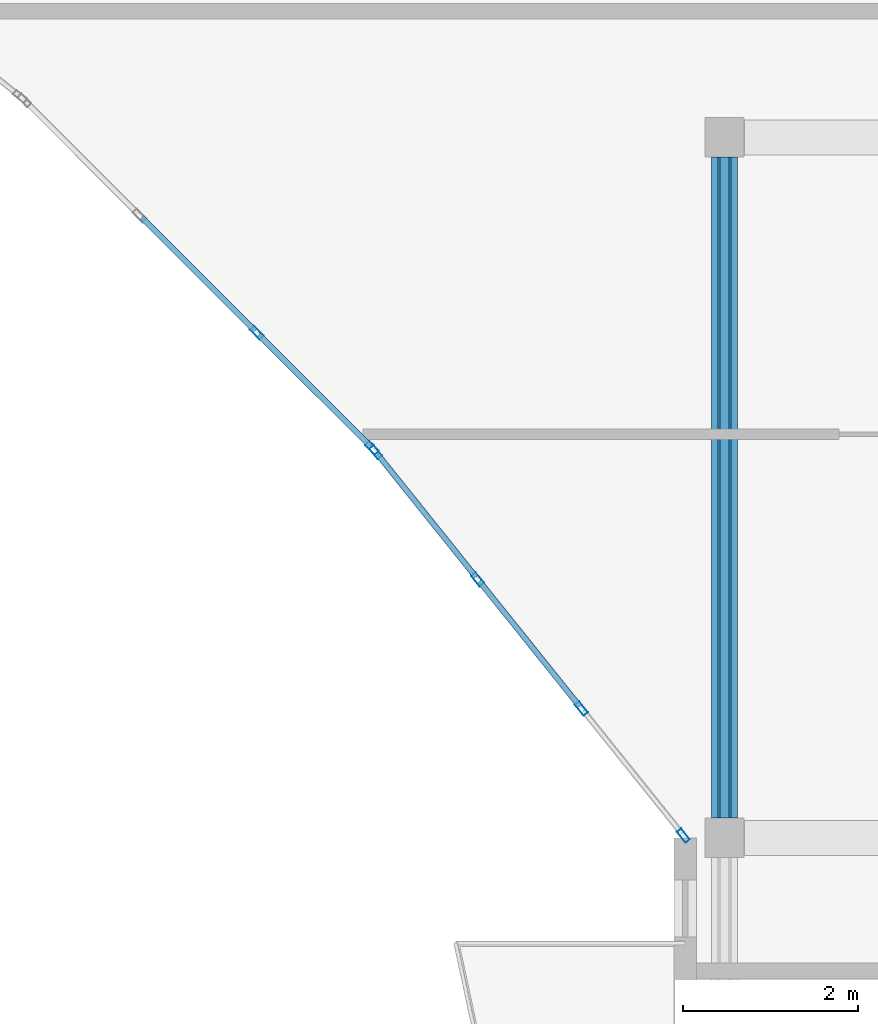
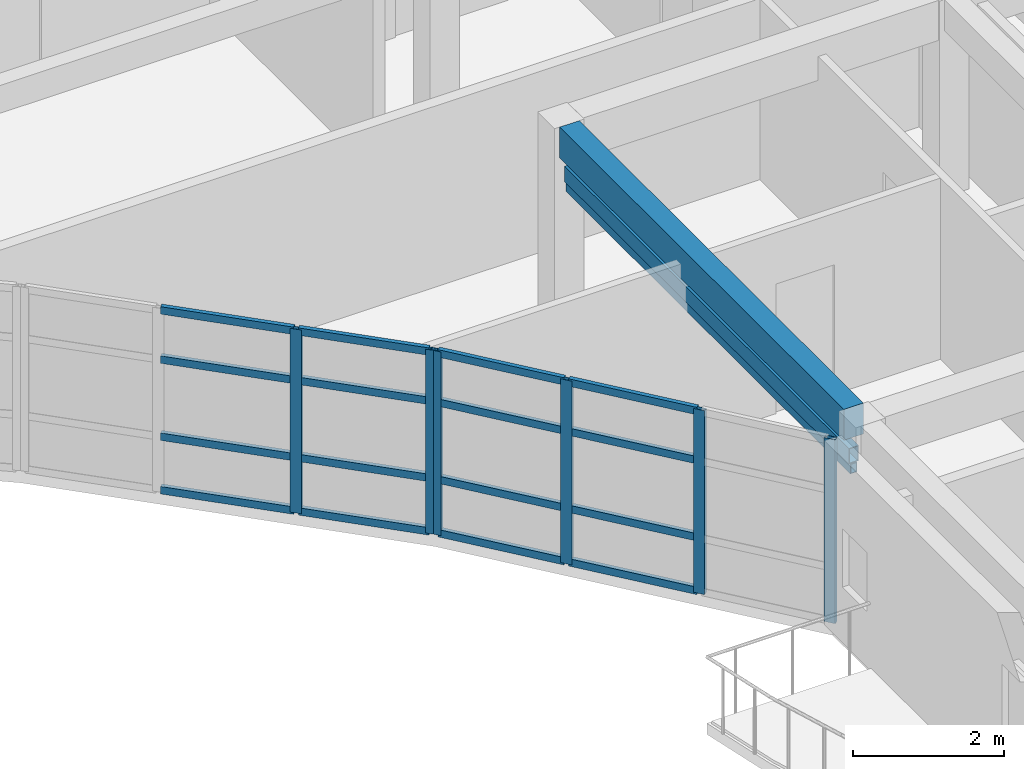
# One storey, part 2 of 14: 24 members, 1 beam, 2 elements without a shape of their own.
"""IFC4 building model written with IfcOpenShell, lengths in metres."""

from ifc_helpers import new_model, si_unit, direction, frame, origin, origin_2d, place, context, subcontext, project, spatial, rectangle, hollow_rectangle, extrude, material, layer, layer_set, material_profile, profile_set, type_object, element, aggregate, save


model = new_model("IFC4")

# Units and contexts
model_context = context("Model", 3, precision=1e-05, world=origin(), true_north=direction((0.0, 1.0)))
body_context = subcontext(model_context, "Body", "Model", "MODEL_VIEW")
ifc_project = project(units=[si_unit("LENGTHUNIT", "METRE"), si_unit("AREAUNIT", "SQUARE_METRE"), si_unit("VOLUMEUNIT", "CUBIC_METRE"), si_unit("PLANEANGLEUNIT", "RADIAN"), si_unit("MASSUNIT", "GRAM", prefix="KILO")], contexts=[model_context])

# Site, building, storey
site_placement = place(None, origin())
site = spatial("IfcSite", under=ifc_project, at=site_placement, CompositionType="ELEMENT")
building_placement = place(site_placement, origin())
building = spatial("IfcBuilding", under=site, at=building_placement, Name="Keldmere Railside Commons", CompositionType="ELEMENT")
storey_placement = place(building_placement, frame((0.0, 0.0, 42.56005859375)))
storey = spatial("IfcBuildingStorey", under=building, at=storey_placement, Name="L13", CompositionType="ELEMENT", Elevation=42.56005859375)

# Member
ifc_material_1 = material(Name="Steel F-36 (S355)", Category="steel")
ifc_material_profile_1 = material_profile(ifc_material_1, hollow_rectangle(XDim=0.14990234375, YDim=0.25, WallThickness=0.010009765625, at=origin_2d()), Name="RHS-250x150x10")
ifc_profile_set_1 = profile_set([ifc_material_profile_1], Name="Steel F-36 (S355)")
member_type_1 = type_object("IfcMemberType", Name="Balcony Continuous Planted Trough RHS250x150", PredefinedType="CHORD", material=ifc_profile_set_1)
member_1_placement = place(storey_placement, frame((168.449951171875, 88.22509765625, 2.4150390625), z_axis=(0.0, 1.0, 0.0), x_axis=(-1.0, 0.0, 0.0)))
element("IfcMember", 1, at=member_1_placement, inside=storey, type_object=member_type_1, Name="PLT-1 MEM-BPLT-1051", PredefinedType="CHORD", context=body_context, shape_type="SweptSolid", body=[
    extrude(hollow_rectangle(XDim=0.14990234375, YDim=0.25, WallThickness=0.010009765625, at=origin_2d()), origin(), (0.0, 0.0, 1.0), 7.5498046875),
])

# Beam
ifc_material_2 = material(Name="Concrete H-30 (C30/37)", Category="concrete")
ifc_material_profile_2 = material_profile(ifc_material_2, rectangle(XDim=0.300048828125, YDim=0.5, at=origin_2d()), Name="RC-300x500")
ifc_profile_set_2 = profile_set([ifc_material_profile_2], Name="Concrete H-30 (C30/37)")
beam_type = type_object("IfcBeamType", Name="Secondary Frame RC Beam 300x500", PredefinedType="BEAM", material=ifc_profile_set_2)
beam_placement = place(storey_placement, frame((168.449951171875, 88.22509765625, 2.949951171875), z_axis=(0.0, 1.0, 0.0), x_axis=(-1.0, 0.0, 0.0)))
element("IfcBeam", 2, at=beam_placement, inside=storey, type_object=beam_type, Name="BG-5 BM-L13-2530", PredefinedType="BEAM", context=body_context, shape_type="SweptSolid", body=[
    extrude(rectangle(XDim=0.300048828125, YDim=0.5, at=origin_2d()), origin(), (0.0, 0.0, 1.0), 7.5498046875),
])

# Member
ifc_material_profile_3 = material_profile(ifc_material_1, hollow_rectangle(XDim=0.10009765625, YDim=0.159912109375, WallThickness=0.008056640625, at=origin_2d()), Name="RHS-160x100x8")
ifc_profile_set_3 = profile_set([ifc_material_profile_3], Name="Steel F-36 (S355)")
member_type_2 = type_object("IfcMemberType", Name="Solar Brise-Soleil Louvre Fin RHS160x100", PredefinedType="STRUT", material=ifc_profile_set_3)
member_2_placement = place(storey_placement, frame((168.449951171875, 88.22509765625, 2.199951171875), z_axis=(0.0, 1.0, 0.0), x_axis=(-1.0, 0.0, 0.0)))
element("IfcMember", 3, at=member_2_placement, inside=storey, type_object=member_type_2, Name="BSF-1 MEM-BSF-1052", PredefinedType="STRUT", context=body_context, shape_type="SweptSolid", body=[
    extrude(hollow_rectangle(XDim=0.10009765625, YDim=0.159912109375, WallThickness=0.008056640625, at=origin_2d()), origin(), (0.0, 0.0, 1.0), 7.5498046875),
])

# Curtain wall, members
ifc_material_3 = material(Name="Thermally Broken Aluminium", Category="aluminium")
ifc_layer_1 = layer(ifc_material_3, 0.159912109375, Name="Court Chord Wintergarden CW 4800x2850")
ifc_layer_set_1 = layer_set([ifc_layer_1], Name="Thermally Broken Aluminium")
curtain_wall_type_1 = type_object("IfcCurtainWallType", Name="Court Chord Wintergarden CW 4800x2850", PredefinedType="NOTDEFINED", material=ifc_layer_set_1)
curtain_wall_1_placement = place(storey_placement, origin())
curtain_wall_1 = element("IfcCurtainWall", 4, at=curtain_wall_1_placement, inside=storey, type_object=curtain_wall_type_1, Name="CW-12 CW-L13-197", PredefinedType="NOTDEFINED")
ifc_material_profile_4 = material_profile(ifc_material_3, hollow_rectangle(XDim=0.06494140625, YDim=0.159912109375, WallThickness=0.00390625, at=origin_2d()), Name="ALU-MULL-65x160")
ifc_profile_set_4 = profile_set([ifc_material_profile_4], Name="Thermally Broken Aluminium")
member_type_3 = type_object("IfcMemberType", Name="Unitised Curtain Wall Mullion 65x160", PredefinedType="MULLION", material=ifc_profile_set_4)
member_3_placement = place(storey_placement, frame((164.423095703125, 92.452880859375, 0.0), z_axis=(0.0, 0.0, 1.0), x_axis=(-0.707106781187, -0.707106781187, 0.0)))
member_3 = element("IfcMember", 5, at=member_3_placement, type_object=member_type_3, Name="CW-12 mullion 1", PredefinedType="MULLION", context=body_context, shape_type="SweptSolid", body=[
    extrude(hollow_rectangle(XDim=0.06494140625, YDim=0.159912109375, WallThickness=0.00390625, at=origin_2d()), origin(), (0.0, 0.0, 1.0), 2.97998046875),
])
member_4_placement = place(storey_placement, frame((163.107421875, 93.7685546875, 0.0), z_axis=(0.0, 0.0, 1.0), x_axis=(-0.707106781187, -0.707106781187, 0.0)))
member_4 = element("IfcMember", 6, at=member_4_placement, type_object=member_type_3, Name="CW-12 mullion 2", PredefinedType="MULLION", context=body_context, shape_type="SweptSolid", body=[
    extrude(hollow_rectangle(XDim=0.06494140625, YDim=0.159912109375, WallThickness=0.00390625, at=origin_2d()), origin(), (0.0, 0.0, 1.0), 2.97998046875),
])

ifc_layer_2 = layer(ifc_material_3, 0.159912109375, Name="Court Chord Wintergarden CW 5400x2850")
ifc_layer_set_2 = layer_set([ifc_layer_2], Name="Thermally Broken Aluminium")
curtain_wall_type_2 = type_object("IfcCurtainWallType", Name="Court Chord Wintergarden CW 5400x2850", PredefinedType="NOTDEFINED", material=ifc_layer_set_2)
curtain_wall_2_placement = place(storey_placement, origin())
curtain_wall_2 = element("IfcCurtainWall", 7, at=curtain_wall_2_placement, inside=storey, type_object=curtain_wall_type_2, Name="CW-13 CW-L13-198", PredefinedType="NOTDEFINED")
member_5_placement = place(storey_placement, frame((167.979736328125, 88.025390625, 0.0), z_axis=(0.0, 0.0, 1.0), x_axis=(-0.780009172323, -0.625768080915, 0.0)))
member_5 = element("IfcMember", 8, at=member_5_placement, type_object=member_type_3, Name="CW-13 mullion 1", PredefinedType="MULLION", context=body_context, shape_type="SweptSolid", body=[
    extrude(hollow_rectangle(XDim=0.06494140625, YDim=0.159912109375, WallThickness=0.00390625, at=origin_2d()), origin(), (0.0, 0.0, 1.0), 2.97998046875),
])
member_6_placement = place(storey_placement, frame((166.8154296875, 89.4765625, 0.0), z_axis=(0.0, 0.0, 1.0), x_axis=(-0.780009172323, -0.625768080915, 0.0)))
member_6 = element("IfcMember", 9, at=member_6_placement, type_object=member_type_3, Name="CW-13 mullion 2", PredefinedType="MULLION", context=body_context, shape_type="SweptSolid", body=[
    extrude(hollow_rectangle(XDim=0.06494140625, YDim=0.159912109375, WallThickness=0.00390625, at=origin_2d()), origin(), (0.0, 0.0, 1.0), 2.97998046875),
])
member_7_placement = place(storey_placement, frame((165.630615234375, 90.953369140625, 0.0), z_axis=(0.0, 0.0, 1.0), x_axis=(-0.780009172323, -0.625768080915, 0.0)))
member_7 = element("IfcMember", 10, at=member_7_placement, type_object=member_type_3, Name="CW-13 mullion 3", PredefinedType="MULLION", context=body_context, shape_type="SweptSolid", body=[
    extrude(hollow_rectangle(XDim=0.06494140625, YDim=0.159912109375, WallThickness=0.00390625, at=origin_2d()), origin(), (0.0, 0.0, 1.0), 2.97998046875),
])
member_8_placement = place(storey_placement, frame((164.46630859375, 92.404541015625, 0.0), z_axis=(0.0, 0.0, 1.0), x_axis=(-0.780009172323, -0.625768080915, 0.0)))
member_8 = element("IfcMember", 11, at=member_8_placement, type_object=member_type_3, Name="CW-13 mullion 4", PredefinedType="MULLION", context=body_context, shape_type="SweptSolid", body=[
    extrude(hollow_rectangle(XDim=0.06494140625, YDim=0.159912109375, WallThickness=0.00390625, at=origin_2d()), origin(), (0.0, 0.0, 1.0), 2.97998046875),
])

# Member
ifc_material_profile_5 = material_profile(ifc_material_3, hollow_rectangle(XDim=0.06494140625, YDim=0.1201171875, WallThickness=0.00390625, at=origin_2d()), Name="ALU-TRAN-65x120")
ifc_profile_set_5 = profile_set([ifc_material_profile_5], Name="Thermally Broken Aluminium")
member_type_4 = type_object("IfcMemberType", Name="Unitised Curtain Wall Transom 65x120", PredefinedType="USERDEFINED", material=ifc_profile_set_5)
member_9_placement = place(storey_placement, frame((164.400146484375, 92.47607421875, 0.032470703125), z_axis=(-0.707174762418, 0.707038793419, 0.0), x_axis=(-0.707038793419, -0.707174762418, 0.0)))
member_9 = element("IfcMember", 12, at=member_9_placement, type_object=member_type_4, Name="CW-12 transom 1.1", ObjectType="TRANSOM", PredefinedType="USERDEFINED", context=body_context, shape_type="SweptSolid", body=[
    extrude(hollow_rectangle(XDim=0.06494140625, YDim=0.1201171875, WallThickness=0.00390625, at=origin_2d()), origin(), (0.0, 0.0, 1.0), 1.795654296875),
])

member_10_placement = place(storey_placement, frame((164.400146484375, 92.47607421875, 0.89990234375), z_axis=(-0.707174762418, 0.707038793419, 0.0), x_axis=(-0.707038793419, -0.707174762418, 0.0)))
member_10 = element("IfcMember", 13, at=member_10_placement, type_object=member_type_4, Name="CW-12 transom 1.2", ObjectType="TRANSOM", PredefinedType="USERDEFINED", context=body_context, shape_type="SweptSolid", body=[
    extrude(hollow_rectangle(XDim=0.06494140625, YDim=0.1201171875, WallThickness=0.00390625, at=origin_2d()), origin(), (0.0, 0.0, 1.0), 1.795654296875),
])

member_11_placement = place(storey_placement, frame((164.400146484375, 92.47607421875, 2.14990234375), z_axis=(-0.707174762418, 0.707038793419, 0.0), x_axis=(-0.707038793419, -0.707174762418, 0.0)))
member_11 = element("IfcMember", 14, at=member_11_placement, type_object=member_type_4, Name="CW-12 transom 1.3", ObjectType="TRANSOM", PredefinedType="USERDEFINED", context=body_context, shape_type="SweptSolid", body=[
    extrude(hollow_rectangle(XDim=0.06494140625, YDim=0.1201171875, WallThickness=0.00390625, at=origin_2d()), origin(), (0.0, 0.0, 1.0), 1.795654296875),
])

member_12_placement = place(storey_placement, frame((164.400146484375, 92.47607421875, 2.947509765625), z_axis=(-0.707174762418, 0.707038793419, 0.0), x_axis=(-0.707038793419, -0.707174762418, 0.0)))
member_12 = element("IfcMember", 15, at=member_12_placement, type_object=member_type_4, Name="CW-12 transom 1.4", ObjectType="TRANSOM", PredefinedType="USERDEFINED", context=body_context, shape_type="SweptSolid", body=[
    extrude(hollow_rectangle(XDim=0.06494140625, YDim=0.1201171875, WallThickness=0.00390625, at=origin_2d()), origin(), (0.0, 0.0, 1.0), 1.795654296875),
])

member_13_placement = place(storey_placement, frame((163.08447265625, 93.791748046875, 0.032470703125), z_axis=(-0.707106781187, 0.707106781187, 0.0), x_axis=(-0.707106781187, -0.707106781187, 0.0)))
member_13 = element("IfcMember", 16, at=member_13_placement, type_object=member_type_4, Name="CW-12 transom 2.1", ObjectType="TRANSOM", PredefinedType="USERDEFINED", context=body_context, shape_type="SweptSolid", body=[
    extrude(hollow_rectangle(XDim=0.06494140625, YDim=0.1201171875, WallThickness=0.00390625, at=origin_2d()), origin(), (0.0, 0.0, 1.0), 1.828125),
])

member_14_placement = place(storey_placement, frame((163.08447265625, 93.791748046875, 0.89990234375), z_axis=(-0.707106781187, 0.707106781187, 0.0), x_axis=(-0.707106781187, -0.707106781187, 0.0)))
member_14 = element("IfcMember", 17, at=member_14_placement, type_object=member_type_4, Name="CW-12 transom 2.2", ObjectType="TRANSOM", PredefinedType="USERDEFINED", context=body_context, shape_type="SweptSolid", body=[
    extrude(hollow_rectangle(XDim=0.06494140625, YDim=0.1201171875, WallThickness=0.00390625, at=origin_2d()), origin(), (0.0, 0.0, 1.0), 1.828125),
])

member_15_placement = place(storey_placement, frame((163.08447265625, 93.791748046875, 2.14990234375), z_axis=(-0.707106781187, 0.707106781187, 0.0), x_axis=(-0.707106781187, -0.707106781187, 0.0)))
member_15 = element("IfcMember", 18, at=member_15_placement, type_object=member_type_4, Name="CW-12 transom 2.3", ObjectType="TRANSOM", PredefinedType="USERDEFINED", context=body_context, shape_type="SweptSolid", body=[
    extrude(hollow_rectangle(XDim=0.06494140625, YDim=0.1201171875, WallThickness=0.00390625, at=origin_2d()), origin(), (0.0, 0.0, 1.0), 1.828125),
])

member_16_placement = place(storey_placement, frame((163.08447265625, 93.791748046875, 2.947509765625), z_axis=(-0.707106781187, 0.707106781187, 0.0), x_axis=(-0.707106781187, -0.707106781187, 0.0)))
member_16 = element("IfcMember", 19, at=member_16_placement, type_object=member_type_4, Name="CW-12 transom 2.4", ObjectType="TRANSOM", PredefinedType="USERDEFINED", context=body_context, shape_type="SweptSolid", body=[
    extrude(hollow_rectangle(XDim=0.06494140625, YDim=0.1201171875, WallThickness=0.00390625, at=origin_2d()), origin(), (0.0, 0.0, 1.0), 1.828125),
])

aggregate(curtain_wall_1, [member_3, member_4, member_9, member_10, member_11, member_12, member_13, member_14, member_15, member_16])

member_17_placement = place(storey_placement, frame((166.794921875, 89.501953125, 0.032470703125), z_axis=(-0.625688033635, 0.78007338409, 0.0), x_axis=(-0.78007338409, -0.625688033635, 0.0)))
member_17 = element("IfcMember", 20, at=member_17_placement, type_object=member_type_4, Name="CW-13 transom 2.1", ObjectType="TRANSOM", PredefinedType="USERDEFINED", context=body_context, shape_type="SweptSolid", body=[
    extrude(hollow_rectangle(XDim=0.06494140625, YDim=0.1201171875, WallThickness=0.00390625, at=origin_2d()), origin(), (0.0, 0.0, 1.0), 1.828125),
])

member_18_placement = place(storey_placement, frame((166.794921875, 89.501953125, 0.89990234375), z_axis=(-0.625688033635, 0.78007338409, 0.0), x_axis=(-0.78007338409, -0.625688033635, 0.0)))
member_18 = element("IfcMember", 21, at=member_18_placement, type_object=member_type_4, Name="CW-13 transom 2.2", ObjectType="TRANSOM", PredefinedType="USERDEFINED", context=body_context, shape_type="SweptSolid", body=[
    extrude(hollow_rectangle(XDim=0.06494140625, YDim=0.1201171875, WallThickness=0.00390625, at=origin_2d()), origin(), (0.0, 0.0, 1.0), 1.828125),
])

member_19_placement = place(storey_placement, frame((166.794921875, 89.501953125, 2.14990234375), z_axis=(-0.625688033635, 0.78007338409, 0.0), x_axis=(-0.78007338409, -0.625688033635, 0.0)))
member_19 = element("IfcMember", 22, at=member_19_placement, type_object=member_type_4, Name="CW-13 transom 2.3", ObjectType="TRANSOM", PredefinedType="USERDEFINED", context=body_context, shape_type="SweptSolid", body=[
    extrude(hollow_rectangle(XDim=0.06494140625, YDim=0.1201171875, WallThickness=0.00390625, at=origin_2d()), origin(), (0.0, 0.0, 1.0), 1.828125),
])

member_20_placement = place(storey_placement, frame((166.794921875, 89.501953125, 2.947509765625), z_axis=(-0.625688033635, 0.78007338409, 0.0), x_axis=(-0.78007338409, -0.625688033635, 0.0)))
member_20 = element("IfcMember", 23, at=member_20_placement, type_object=member_type_4, Name="CW-13 transom 2.4", ObjectType="TRANSOM", PredefinedType="USERDEFINED", context=body_context, shape_type="SweptSolid", body=[
    extrude(hollow_rectangle(XDim=0.06494140625, YDim=0.1201171875, WallThickness=0.00390625, at=origin_2d()), origin(), (0.0, 0.0, 1.0), 1.828125),
])

member_21_placement = place(storey_placement, frame((165.6103515625, 90.978759765625, 0.032470703125), z_axis=(-0.625805275091, 0.779979331565, 0.0), x_axis=(-0.779979331565, -0.625805275091, 0.0)))
member_21 = element("IfcMember", 24, at=member_21_placement, type_object=member_type_4, Name="CW-13 transom 3.1", ObjectType="TRANSOM", PredefinedType="USERDEFINED", context=body_context, shape_type="SweptSolid", body=[
    extrude(hollow_rectangle(XDim=0.06494140625, YDim=0.1201171875, WallThickness=0.00390625, at=origin_2d()), origin(), (0.0, 0.0, 1.0), 1.795654296875),
])

member_22_placement = place(storey_placement, frame((165.6103515625, 90.978759765625, 0.89990234375), z_axis=(-0.625805275091, 0.779979331565, 0.0), x_axis=(-0.779979331565, -0.625805275091, 0.0)))
member_22 = element("IfcMember", 25, at=member_22_placement, type_object=member_type_4, Name="CW-13 transom 3.2", ObjectType="TRANSOM", PredefinedType="USERDEFINED", context=body_context, shape_type="SweptSolid", body=[
    extrude(hollow_rectangle(XDim=0.06494140625, YDim=0.1201171875, WallThickness=0.00390625, at=origin_2d()), origin(), (0.0, 0.0, 1.0), 1.795654296875),
])

member_23_placement = place(storey_placement, frame((165.6103515625, 90.978759765625, 2.14990234375), z_axis=(-0.625805275091, 0.779979331565, 0.0), x_axis=(-0.779979331565, -0.625805275091, 0.0)))
member_23 = element("IfcMember", 26, at=member_23_placement, type_object=member_type_4, Name="CW-13 transom 3.3", ObjectType="TRANSOM", PredefinedType="USERDEFINED", context=body_context, shape_type="SweptSolid", body=[
    extrude(hollow_rectangle(XDim=0.06494140625, YDim=0.1201171875, WallThickness=0.00390625, at=origin_2d()), origin(), (0.0, 0.0, 1.0), 1.795654296875),
])

member_24_placement = place(storey_placement, frame((165.6103515625, 90.978759765625, 2.947509765625), z_axis=(-0.625805275091, 0.779979331565, 0.0), x_axis=(-0.779979331565, -0.625805275091, 0.0)))
member_24 = element("IfcMember", 27, at=member_24_placement, type_object=member_type_4, Name="CW-13 transom 3.4", ObjectType="TRANSOM", PredefinedType="USERDEFINED", context=body_context, shape_type="SweptSolid", body=[
    extrude(hollow_rectangle(XDim=0.06494140625, YDim=0.1201171875, WallThickness=0.00390625, at=origin_2d()), origin(), (0.0, 0.0, 1.0), 1.795654296875),
])

aggregate(curtain_wall_2, [member_5, member_6, member_7, member_8, member_17, member_18, member_19, member_20, member_21, member_22, member_23, member_24])

save(model, "model.ifc")
